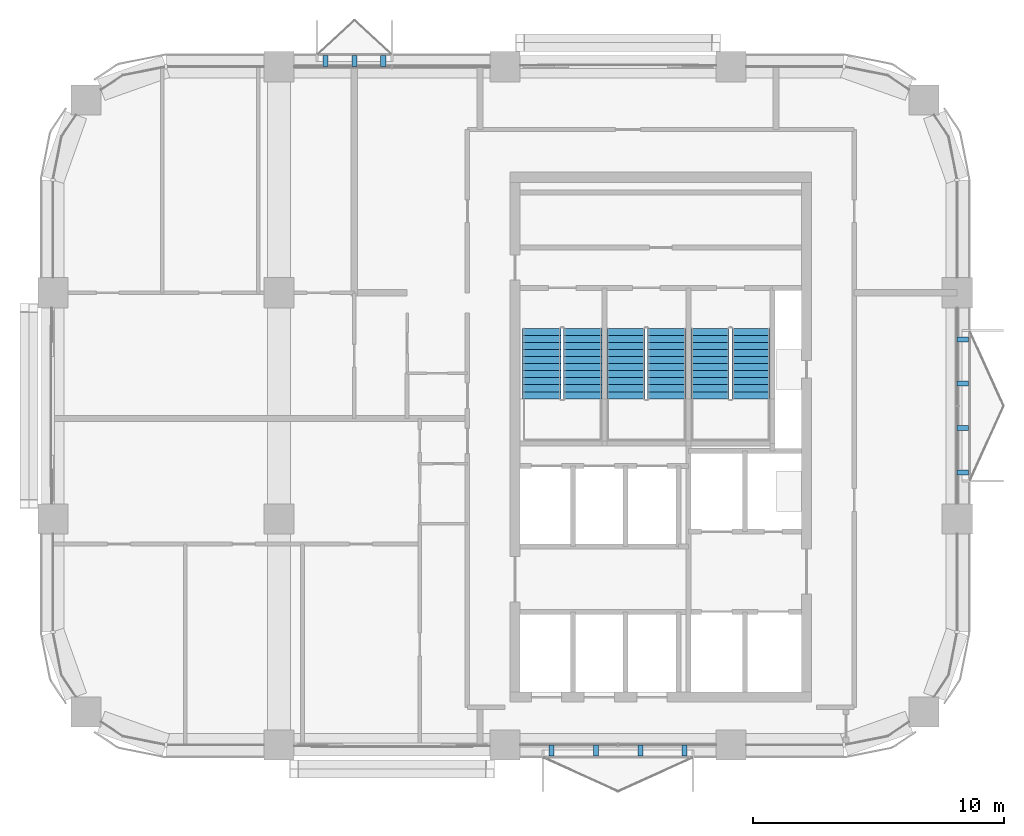
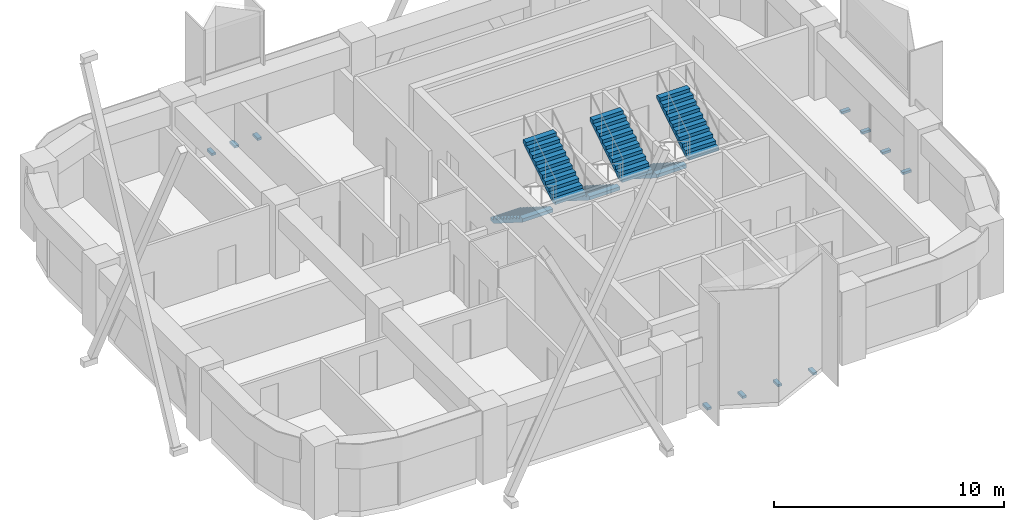
# One storey, part 10 of 11: 11 discrete accessories, 6 stair flights, 3 elements without a shape of their own.
"""IFC4 building model written with IfcOpenShell, lengths in metres."""

from ifc_helpers import new_model, si_unit, direction, frame, origin, origin_2d, place, context, subcontext, project, spatial, polyline, rectangle, outline, extrude, material, type_object, element, aggregate, save


model = new_model("IFC4")

# Units and contexts
model_context = context("Model", 3, precision=1e-05, world=origin(), true_north=direction((0.0, 1.0)))
body_context = subcontext(model_context, "Body", "Model", "MODEL_VIEW")
ifc_project = project(units=[si_unit("LENGTHUNIT", "METRE"), si_unit("AREAUNIT", "SQUARE_METRE"), si_unit("VOLUMEUNIT", "CUBIC_METRE"), si_unit("PLANEANGLEUNIT", "RADIAN"), si_unit("MASSUNIT", "GRAM", prefix="KILO")], contexts=[model_context])

# Site, building, storey
site_placement = place(None, origin())
site = spatial("IfcSite", under=ifc_project, at=site_placement, CompositionType="ELEMENT")
building_placement = place(site_placement, origin())
building = spatial("IfcBuilding", under=site, at=building_placement, Name="Tessera Arch", CompositionType="ELEMENT")
storey_placement = place(building_placement, frame((0.0, 0.0, 250.10009765625)))
storey = spatial("IfcBuildingStorey", under=building, at=storey_placement, Name="L60", CompositionType="ELEMENT", Elevation=250.10009765625)

# Stair, stair flights
ifc_material_1 = material(Name="Concrete C40/50", Category="concrete")
stair_type = type_object("IfcStairType", Name="Dogleg stair 1520", PredefinedType="HALF_TURN_STAIR", material=ifc_material_1)
stair_1_placement = place(storey_placement, origin())
stair_1 = element("IfcStair", 1, at=stair_1_placement, inside=storey, type_object=stair_type, Name="L60 S1a", PredefinedType="HALF_TURN_STAIR")
ifc_material_2 = material(Name="Concrete C40/50", Category="concrete")
stair_flight_type = type_object("IfcStairFlightType", Name="Stair flight 1520", PredefinedType="STRAIGHT", material=ifc_material_2)
stair_flight_1_placement = place(storey_placement, frame((37.4599609375, 43.580078125, 0.0), z_axis=(0.0, 0.0, 1.0), x_axis=(0.0, -1.0, 0.0)))
stair_flight_1 = element("IfcStairFlight", 2, at=stair_flight_1_placement, type_object=stair_flight_type, Name="S1a flight 1", NumberOfRisers=11, NumberOfTreads=10, PredefinedType="STRAIGHT", RiserHeight=0.177272727, TreadLength=0.28, context=body_context, shape_type="SweptSolid", body=[
    extrude(outline(polyline([(0.0, 0.0), (0.0, 0.17724609375), (0.280029296875, 0.17724609375), (0.280029296875, 0.3544921875), (0.56005859375, 0.3544921875), (0.56005859375, 0.53173828125), (0.840087890625, 0.53173828125), (0.840087890625, 0.708984375), (1.1201171875, 0.708984375), (1.1201171875, 0.886474609375), (1.39990234375, 0.886474609375), (1.39990234375, 1.063720703125), (1.679931640625, 1.063720703125), (1.679931640625, 1.240966796875), (1.9599609375, 1.240966796875), (1.9599609375, 1.418212890625), (2.239990234375, 1.418212890625), (2.239990234375, 1.595458984375), (2.52001953125, 1.595458984375), (2.52001953125, 1.772705078125), (2.800048828125, 1.772705078125), (2.800048828125, 1.949951171875), (2.800048828125, 1.59521484375), (0.2802734375, 0.0), (0.0, 0.0)])), frame((0.0, 0.760009765625, 0.0), z_axis=(0.0, -1.0, 0.0), x_axis=(1.0, 0.0, 0.0)), (0.0, 0.0, 1.0), 1.52001953125),
])
stair_flight_2_placement = place(storey_placement, frame((39.090087890625, 40.780029296875, 1.949951171875), z_axis=(0.0, 0.0, 1.0), x_axis=(0.0, 1.0, 0.0)))
stair_flight_2 = element("IfcStairFlight", 3, at=stair_flight_2_placement, type_object=stair_flight_type, Name="S1a flight 2", NumberOfRisers=11, NumberOfTreads=10, PredefinedType="STRAIGHT", RiserHeight=0.177272727, TreadLength=0.28, context=body_context, shape_type="SweptSolid", body=[
    extrude(outline(polyline([(0.0, 0.0), (0.0, 0.17724609375), (0.280029296875, 0.17724609375), (0.280029296875, 0.3544921875), (0.56005859375, 0.3544921875), (0.56005859375, 0.53173828125), (0.840087890625, 0.53173828125), (0.840087890625, 0.708984375), (1.1201171875, 0.708984375), (1.1201171875, 0.886474609375), (1.39990234375, 0.886474609375), (1.39990234375, 1.063720703125), (1.679931640625, 1.063720703125), (1.679931640625, 1.240966796875), (1.9599609375, 1.240966796875), (1.9599609375, 1.418212890625), (2.239990234375, 1.418212890625), (2.239990234375, 1.595458984375), (2.52001953125, 1.595458984375), (2.52001953125, 1.772705078125), (2.800048828125, 1.772705078125), (2.800048828125, 1.949951171875), (2.800048828125, 1.59521484375), (0.2802734375, 0.0), (0.0, 0.0)])), frame((0.0, 0.760009765625, 0.0), z_axis=(0.0, -1.0, 0.0), x_axis=(1.0, 0.0, 0.0)), (0.0, 0.0, 1.0), 1.52001953125),
])
aggregate(stair_1, [stair_flight_1, stair_flight_2])

stair_2_placement = place(storey_placement, origin())
stair_2 = element("IfcStair", 4, at=stair_2_placement, inside=storey, type_object=stair_type, Name="L60 S1b", PredefinedType="HALF_TURN_STAIR")
stair_flight_3_placement = place(storey_placement, frame((40.81005859375, 43.580078125, 0.0), z_axis=(0.0, 0.0, 1.0), x_axis=(0.0, -1.0, 0.0)))
stair_flight_3 = element("IfcStairFlight", 5, at=stair_flight_3_placement, type_object=stair_flight_type, Name="S1b flight 1", NumberOfRisers=11, NumberOfTreads=10, PredefinedType="STRAIGHT", RiserHeight=0.177272727, TreadLength=0.28, context=body_context, shape_type="SweptSolid", body=[
    extrude(outline(polyline([(0.0, 0.0), (0.0, 0.17724609375), (0.280029296875, 0.17724609375), (0.280029296875, 0.3544921875), (0.56005859375, 0.3544921875), (0.56005859375, 0.53173828125), (0.840087890625, 0.53173828125), (0.840087890625, 0.708984375), (1.1201171875, 0.708984375), (1.1201171875, 0.886474609375), (1.39990234375, 0.886474609375), (1.39990234375, 1.063720703125), (1.679931640625, 1.063720703125), (1.679931640625, 1.240966796875), (1.9599609375, 1.240966796875), (1.9599609375, 1.418212890625), (2.239990234375, 1.418212890625), (2.239990234375, 1.595458984375), (2.52001953125, 1.595458984375), (2.52001953125, 1.772705078125), (2.800048828125, 1.772705078125), (2.800048828125, 1.949951171875), (2.800048828125, 1.59521484375), (0.2802734375, 0.0), (0.0, 0.0)])), frame((0.0, 0.760009765625, 0.0), z_axis=(0.0, -1.0, 0.0), x_axis=(1.0, 0.0, 0.0)), (0.0, 0.0, 1.0), 1.52001953125),
])
stair_flight_4_placement = place(storey_placement, frame((42.43994140625, 40.780029296875, 1.949951171875), z_axis=(0.0, 0.0, 1.0), x_axis=(0.0, 1.0, 0.0)))
stair_flight_4 = element("IfcStairFlight", 6, at=stair_flight_4_placement, type_object=stair_flight_type, Name="S1b flight 2", NumberOfRisers=11, NumberOfTreads=10, PredefinedType="STRAIGHT", RiserHeight=0.177272727, TreadLength=0.28, context=body_context, shape_type="SweptSolid", body=[
    extrude(outline(polyline([(0.0, 0.0), (0.0, 0.17724609375), (0.280029296875, 0.17724609375), (0.280029296875, 0.3544921875), (0.56005859375, 0.3544921875), (0.56005859375, 0.53173828125), (0.840087890625, 0.53173828125), (0.840087890625, 0.708984375), (1.1201171875, 0.708984375), (1.1201171875, 0.886474609375), (1.39990234375, 0.886474609375), (1.39990234375, 1.063720703125), (1.679931640625, 1.063720703125), (1.679931640625, 1.240966796875), (1.9599609375, 1.240966796875), (1.9599609375, 1.418212890625), (2.239990234375, 1.418212890625), (2.239990234375, 1.595458984375), (2.52001953125, 1.595458984375), (2.52001953125, 1.772705078125), (2.800048828125, 1.772705078125), (2.800048828125, 1.949951171875), (2.800048828125, 1.59521484375), (0.2802734375, 0.0), (0.0, 0.0)])), frame((0.0, 0.760009765625, 0.0), z_axis=(0.0, -1.0, 0.0), x_axis=(1.0, 0.0, 0.0)), (0.0, 0.0, 1.0), 1.52001953125),
])
aggregate(stair_2, [stair_flight_3, stair_flight_4])

stair_3_placement = place(storey_placement, origin())
stair_3 = element("IfcStair", 7, at=stair_3_placement, inside=storey, type_object=stair_type, Name="L60 S1c", PredefinedType="HALF_TURN_STAIR")
stair_flight_5_placement = place(storey_placement, frame((44.159912109375, 43.580078125, 0.0), z_axis=(0.0, 0.0, 1.0), x_axis=(0.0, -1.0, 0.0)))
stair_flight_5 = element("IfcStairFlight", 8, at=stair_flight_5_placement, type_object=stair_flight_type, Name="S1c flight 1", NumberOfRisers=11, NumberOfTreads=10, PredefinedType="STRAIGHT", RiserHeight=0.177272727, TreadLength=0.28, context=body_context, shape_type="SweptSolid", body=[
    extrude(outline(polyline([(0.0, 0.0), (0.0, 0.17724609375), (0.280029296875, 0.17724609375), (0.280029296875, 0.3544921875), (0.56005859375, 0.3544921875), (0.56005859375, 0.53173828125), (0.840087890625, 0.53173828125), (0.840087890625, 0.708984375), (1.1201171875, 0.708984375), (1.1201171875, 0.886474609375), (1.39990234375, 0.886474609375), (1.39990234375, 1.063720703125), (1.679931640625, 1.063720703125), (1.679931640625, 1.240966796875), (1.9599609375, 1.240966796875), (1.9599609375, 1.418212890625), (2.239990234375, 1.418212890625), (2.239990234375, 1.595458984375), (2.52001953125, 1.595458984375), (2.52001953125, 1.772705078125), (2.800048828125, 1.772705078125), (2.800048828125, 1.949951171875), (2.800048828125, 1.59521484375), (0.2802734375, 0.0), (0.0, 0.0)])), frame((0.0, 0.760009765625, 0.0), z_axis=(0.0, -1.0, 0.0), x_axis=(1.0, 0.0, 0.0)), (0.0, 0.0, 1.0), 1.52001953125),
])
stair_flight_6_placement = place(storey_placement, frame((45.7900390625, 40.780029296875, 1.949951171875), z_axis=(0.0, 0.0, 1.0), x_axis=(0.0, 1.0, 0.0)))
stair_flight_6 = element("IfcStairFlight", 9, at=stair_flight_6_placement, type_object=stair_flight_type, Name="S1c flight 2", NumberOfRisers=11, NumberOfTreads=10, PredefinedType="STRAIGHT", RiserHeight=0.177272727, TreadLength=0.28, context=body_context, shape_type="SweptSolid", body=[
    extrude(outline(polyline([(0.0, 0.0), (0.0, 0.17724609375), (0.280029296875, 0.17724609375), (0.280029296875, 0.3544921875), (0.56005859375, 0.3544921875), (0.56005859375, 0.53173828125), (0.840087890625, 0.53173828125), (0.840087890625, 0.708984375), (1.1201171875, 0.708984375), (1.1201171875, 0.886474609375), (1.39990234375, 0.886474609375), (1.39990234375, 1.063720703125), (1.679931640625, 1.063720703125), (1.679931640625, 1.240966796875), (1.9599609375, 1.240966796875), (1.9599609375, 1.418212890625), (2.239990234375, 1.418212890625), (2.239990234375, 1.595458984375), (2.52001953125, 1.595458984375), (2.52001953125, 1.772705078125), (2.800048828125, 1.772705078125), (2.800048828125, 1.949951171875), (2.800048828125, 1.59521484375), (0.2802734375, 0.0), (0.0, 0.0)])), frame((0.0, 0.760009765625, 0.0), z_axis=(0.0, -1.0, 0.0), x_axis=(1.0, 0.0, 0.0)), (0.0, 0.0, 1.0), 1.52001953125),
])
aggregate(stair_3, [stair_flight_5, stair_flight_6])

# Discrete accessories
for number, where, z_axis, x_axis, name in (
    (10, (31.14990234375, 54.219970703125, -0.1201171875), (0.0, 0.0, 1.0), (0.0, 1.0, 0.0), "Window box bracket"),
    (11, (30.0, 54.219970703125, -0.1201171875), (0.0, 0.0, 1.0), (0.0, 1.0, 0.0), "Window box bracket"),
    (12, (28.85009765625, 54.219970703125, -0.1201171875), (0.0, 0.0, 1.0), (0.0, 1.0, 0.0), "Window box bracket"),
    (13, (37.85009765625, 26.780029296875, -0.1201171875), (0.0, 0.0, 1.0), (0.0, -1.0, 0.0), "Window box bracket"),
    (14, (39.61669921875, 26.780029296875, -0.1201171875), (0.0, 0.0, 1.0), (0.0, -1.0, 0.0), "Window box bracket"),
    (15, (41.38330078125, 26.780029296875, -0.1201171875), (0.0, 0.0, 1.0), (0.0, -1.0, 0.0), "Window box bracket"),
    (16, (43.14990234375, 26.780029296875, -0.1201171875), (0.0, 0.0, 1.0), (0.0, -1.0, 0.0), "Window box bracket"),
    (17, (54.219970703125, 37.85009765625, -0.1201171875), (0.0, 0.0, 1.0), (1.0, 0.0, 0.0), "Window box bracket"),
    (18, (54.219970703125, 39.61669921875, -0.1201171875), (0.0, 0.0, 1.0), (1.0, 0.0, 0.0), "Window box bracket"),
    (19, (54.219970703125, 41.38330078125, -0.1201171875), (0.0, 0.0, 1.0), (1.0, 0.0, 0.0), "Window box bracket"),
    (20, (54.219970703125, 43.14990234375, -0.1201171875), (0.0, 0.0, 1.0), (1.0, 0.0, 0.0), "Window box bracket"),
):
    element("IfcDiscreteAccessory", number, at=place(storey_placement, frame(where, z_axis=z_axis, x_axis=x_axis)), inside=storey, Name=name, PredefinedType="BRACKET", context=body_context, shape_type="SweptSolid", body=[
        extrude(rectangle(XDim=0.43994140625, YDim=0.199951171875, at=origin_2d()), origin(), (0.0, 0.0, 1.0), 0.1201171875),
    ])

save(model, "model.ifc")
